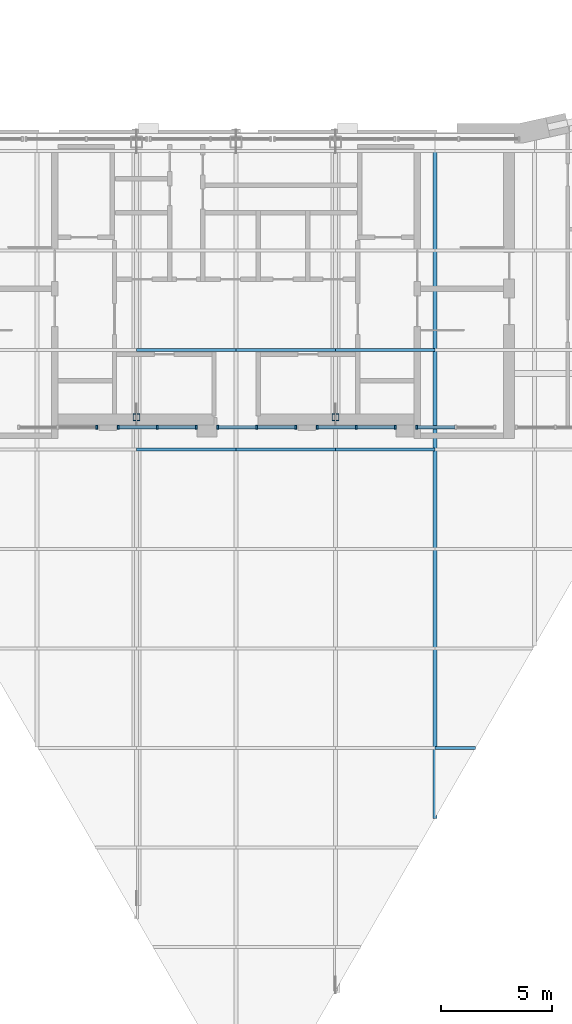
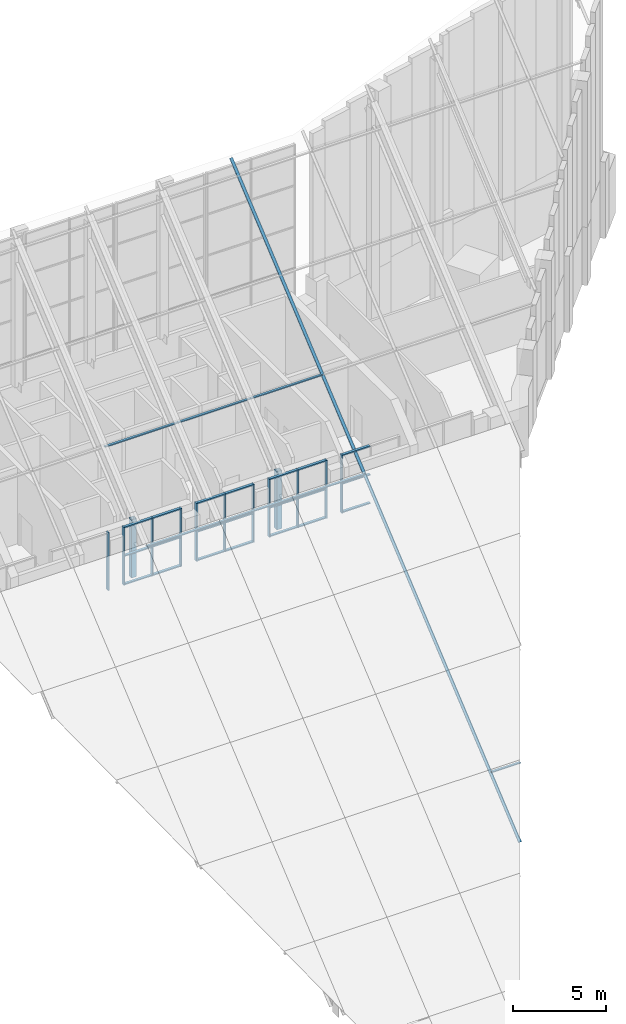
# One storey, part 4 of 19: 42 members, 9 elements without a shape of their own.
"""IFC4 building model written with IfcOpenShell, lengths in metres."""

import ifcopenshell
import ifcopenshell.guid

model = None  # the IFC model being written
_history = None  # IfcOwnerHistory: only IFC2X3 demands one
_inside = {}  # id of a spatial element -> (the spatial element, [elements in it])
_under = {}  # id of a project, library or spatial element -> (it, [spatial elements below it])
_declared = {}  # id of a project -> (the project, [libraries it declares])
_typed = {}  # id of a type object -> (the type object, [elements of that type])
_made_of = {}  # id of a material, layer set ... -> (it, [elements and type objects made of it])


def new_model(schema):
    """Start an empty IFC model of exactly this schema.

    Asked for "IFC4X3", IfcOpenShell would pick the latest addendum, in which some entities
    have other attributes; the version numbers below select the first issue.
    IFC2X3 requires an IfcOwnerHistory on every rooted entity: one is made here for all.
    """
    global model, _history
    if schema == "IFC4X3":
        model = ifcopenshell.file(schema_version=(4, 3, 0, 0))
    else:
        model = ifcopenshell.file(schema=schema)
    _inside.clear()
    _under.clear()
    _declared.clear()
    _typed.clear()
    _made_of.clear()
    _history = None
    if model.schema == "IFC2X3":
        org = make("IfcOrganization", Name="unknown")
        user = make(
            "IfcPersonAndOrganization",
            ThePerson=make("IfcPerson", FamilyName="unknown"),
            TheOrganization=org,
        )
        app = make(
            "IfcApplication",
            ApplicationDeveloper=org,
            Version="unknown",
            ApplicationFullName="unknown",
            ApplicationIdentifier="unknown",
        )
        _history = make(
            "IfcOwnerHistory",
            OwningUser=user,
            OwningApplication=app,
            ChangeAction="ADDED",
            CreationDate=0,
        )
    return model


def make(cls, **values):
    """One entity of the class cls with the attributes given. An attribute that is None is left unset."""
    return model.create_entity(
        cls, **{name: value for name, value in values.items() if value is not None}
    )


def rooted(cls, **values):
    """An entity with a GlobalId (a new one), such as an element, a storey or a relation."""
    return make(cls, GlobalId=ifcopenshell.guid.new(), OwnerHistory=_history, **values)


def si_unit(unit_type, name, prefix=None):
    """IfcSIUnit, for example si_unit("LENGTHUNIT", "METRE", prefix="MILLI")."""
    return make("IfcSIUnit", UnitType=unit_type, Prefix=prefix, Name=name)


def assignment(units):
    """IfcUnitAssignment: the units of a project."""
    return None if units is None else make("IfcUnitAssignment", Units=units)


def point(xyz):
    """IfcCartesianPoint."""
    return None if xyz is None else make("IfcCartesianPoint", Coordinates=xyz)


def direction(xyz):
    """IfcDirection."""
    return None if xyz is None else make("IfcDirection", DirectionRatios=xyz)


def frame(location, z_axis=None, x_axis=None):
    """IfcAxis2Placement3D, a coordinate frame: its origin and axes. An axis left out is left unset."""
    return make(
        "IfcAxis2Placement3D",
        Location=point(location),
        Axis=direction(z_axis),
        RefDirection=direction(x_axis),
    )


def frame_2d(location, x_axis=None):
    """IfcAxis2Placement2D, a coordinate frame in the plane: its origin and x axis."""
    return make(
        "IfcAxis2Placement2D", Location=point(location), RefDirection=direction(x_axis)
    )


def origin():
    """The frame at (0, 0, 0) with its axes left unset."""
    return frame((0.0, 0.0, 0.0))


def origin_2d():
    """The frame at (0, 0) in the plane with its x axis left unset."""
    return frame_2d((0.0, 0.0))


def place(relative_to, where):
    """IfcLocalPlacement: puts the frame where relative to a parent placement (None: the world)."""
    return make(
        "IfcLocalPlacement", PlacementRelTo=relative_to, RelativePlacement=where
    )


def context(
    kind, dimensions, precision=None, world=None, true_north=None, identifier=None
):
    """IfcGeometricRepresentationContext, for example the 3D "Model" context."""
    return make(
        "IfcGeometricRepresentationContext",
        ContextIdentifier=identifier,
        ContextType=kind,
        CoordinateSpaceDimension=dimensions,
        Precision=precision,
        WorldCoordinateSystem=world,
        TrueNorth=true_north,
    )


def subcontext(parent, identifier, kind, view, scale=None):
    """IfcGeometricRepresentationSubContext, for example "Body" below "Model"."""
    return make(
        "IfcGeometricRepresentationSubContext",
        ContextIdentifier=identifier,
        ContextType=kind,
        ParentContext=parent,
        TargetScale=scale,
        TargetView=view,
    )


def project(units=None, contexts=None):
    """IfcProject with its units and contexts."""
    return rooted(
        "IfcProject",
        Name="project",
        RepresentationContexts=contexts,
        UnitsInContext=assignment(units),
    )


def spatial(cls, under=None, at=None, **own):
    """A site, building, storey or space (cls), placed at a placement, below another one or the project."""
    s = rooted(cls, ObjectPlacement=at, **own)
    if under is not None:
        _under.setdefault(under.id(), (under, []))[1].append(s)
    return s


def profile(cls, at=None, kind="AREA", **sizes):
    """A parametric profile (cls). Its sizes go by their IFC names, for example OverallWidth=200.0."""
    return make(cls, ProfileType=kind, Position=at, **sizes)


def rectangle(**sizes):
    """IfcRectangleProfileDef."""
    return profile("IfcRectangleProfileDef", **sizes)


def hollow_rectangle(**sizes):
    """IfcRectangleHollowProfileDef."""
    return profile("IfcRectangleHollowProfileDef", **sizes)


def extrude(swept, where, along, depth):
    """IfcExtrudedAreaSolid: the profile swept, set in the frame where, extruded along a direction by depth."""
    return make(
        "IfcExtrudedAreaSolid",
        SweptArea=swept,
        Position=where,
        ExtrudedDirection=direction(along),
        Depth=depth,
    )


def shape(context_of_items, identifier, shape_type, items):
    """IfcShapeRepresentation: the items that make up one representation, for example the "Body"."""
    return make(
        "IfcShapeRepresentation",
        ContextOfItems=context_of_items,
        RepresentationIdentifier=identifier,
        RepresentationType=shape_type,
        Items=items,
    )


def material(Name=None, Category=None):
    """IfcMaterial."""
    return make("IfcMaterial", Name=Name, Category=Category)


def material_profile(
    of_material, cross_section, Name=None, Category=None, Priority=None
):
    """IfcMaterialProfile: a cross section and its material."""
    return make(
        "IfcMaterialProfile",
        Name=Name,
        Material=of_material,
        Profile=cross_section,
        Priority=Priority,
        Category=Category,
    )


def profile_set(profiles, Name=None, composite=None):
    """IfcMaterialProfileSet."""
    return make(
        "IfcMaterialProfileSet",
        Name=Name,
        MaterialProfiles=profiles,
        CompositeProfile=composite,
    )


def made_of(thing, what):
    """Note that an element or type object is made of a material, layer set ...; save() writes the relation."""
    if what is not None:
        _made_of.setdefault(what.id(), (what, []))[1].append(thing)
    return thing


def type_object(cls, material=None, **own):
    """A type object (cls), such as IfcWallType, which elements share."""
    return made_of(rooted(cls, **own), material)


def element(
    cls,
    number,
    at=None,
    inside=None,
    cuts=None,
    type_object=None,
    material=None,
    context=None,
    identifier="Body",
    shape_type=None,
    held_by="IfcProductDefinitionShape",
    body=None,
    shapes=None,
    **own,
):
    """One element of the class cls, such as IfcWall. Its Tag is "e" and its number.

    at: its placement. inside: the storey or other place that contains it. cuts: it is an
    opening in that element (IfcRelVoidsElement). A single representation is given by context,
    identifier, shape_type and body (its items); several are given by shapes. held_by: the class
    of the entity that holds the representations. save() writes the other relations.
    """
    e = rooted(cls, Tag="e%d" % number, ObjectPlacement=at, **own)
    if body is not None:
        shapes = [shape(context, identifier, shape_type, body)]
    if shapes is not None:
        e.Representation = make(held_by, Representations=shapes)
    if inside is not None:
        _inside.setdefault(inside.id(), (inside, []))[1].append(e)
    if cuts is not None:
        rooted(
            "IfcRelVoidsElement", RelatingBuildingElement=cuts, RelatedOpeningElement=e
        )
    if type_object is not None:
        _typed.setdefault(type_object.id(), (type_object, []))[1].append(e)
    return made_of(e, material)


def aggregate(whole, parts):
    """IfcRelAggregates: a whole, such as a stair, and the parts it consists of."""
    return rooted("IfcRelAggregates", RelatingObject=whole, RelatedObjects=parts)


def save(model, path):
    """Write the relations noted so far, then the file.

    IfcRelAggregates (storeys below a building ...), IfcRelContainedInSpatialStructure (elements
    in a storey), IfcRelDefinesByType, IfcRelAssociatesMaterial and IfcRelDeclares: one each for
    every whole, place, type object, material and project.
    """
    for whole, parts in _under.values():
        aggregate(whole, parts)
    for where, things in _inside.values():
        rooted(
            "IfcRelContainedInSpatialStructure",
            RelatedElements=things,
            RelatingStructure=where,
        )
    for kind, things in _typed.values():
        rooted("IfcRelDefinesByType", RelatedObjects=things, RelatingType=kind)
    for what, things in _made_of.values():
        rooted("IfcRelAssociatesMaterial", RelatedObjects=things, RelatingMaterial=what)
    for by, libraries in _declared.values():
        rooted("IfcRelDeclares", RelatingContext=by, RelatedDefinitions=libraries)
    model.write(path)


model = new_model("IFC4")

# Units and contexts
model_context = context("Model", 3, precision=1e-05, world=origin(), true_north=direction((0.0, 1.0)))
body_context = subcontext(model_context, "Body", "Model", "MODEL_VIEW")
ifc_project = project(units=[si_unit("LENGTHUNIT", "METRE"), si_unit("AREAUNIT", "SQUARE_METRE"), si_unit("VOLUMEUNIT", "CUBIC_METRE"), si_unit("PLANEANGLEUNIT", "RADIAN"), si_unit("MASSUNIT", "GRAM", prefix="KILO")], contexts=[model_context])

# Site, building, storey
site_placement = place(None, origin())
site = spatial("IfcSite", under=ifc_project, at=site_placement, CompositionType="ELEMENT")
building_placement = place(site_placement, origin())
building = spatial("IfcBuilding", under=site, at=building_placement, Name="Calabash Gate Tower", CompositionType="ELEMENT")
storey_placement = place(building_placement, frame((0.0, 0.0, 335.5)))
storey = spatial("IfcBuildingStorey", under=building, at=storey_placement, Name="L78", CompositionType="ELEMENT", Elevation=335.5)

# Curtain wall, member
ifc_material_1 = material(Name="Anodised aluminium frame, bronze finish, clear laminated low-emissivity glazing", Category="aluminium")
curtain_wall_type_1 = type_object("IfcCurtainWallType", Name="Curtain wall CWC crown roof glazing", PredefinedType="NOTDEFINED", material=ifc_material_1)
curtain_wall_1_placement = place(storey_placement, origin())
curtain_wall_1 = element("IfcCurtainWall", 1, at=curtain_wall_1_placement, inside=storey, type_object=curtain_wall_type_1, Name="Curtain wall CWC roof glazing strip 8", PredefinedType="NOTDEFINED")
ifc_material_2 = material(Name="Anodised aluminium frame, bronze finish", Category="aluminium")
ifc_material_profile_1 = material_profile(ifc_material_2, rectangle(XDim=0.179931640625, YDim=0.06494140625, at=origin_2d()))
ifc_profile_set_1 = profile_set([ifc_material_profile_1], Name="Anodised aluminium frame, bronze finish")
member_type_1 = type_object("IfcMemberType", Name="Mullion CWC 65x180", PredefinedType="MULLION", material=ifc_profile_set_1)
member_1_placement = place(storey_placement, frame((9.0, -11.9189453125, -11.147216796875), z_axis=(0.0, 0.766042481004, 0.642789948036), x_axis=(-1.0, 0.0, 0.0)))
member_1 = element("IfcMember", 2, at=member_1_placement, type_object=member_type_1, Name="CWC roof mullion 8.1", PredefinedType="MULLION", context=body_context, shape_type="SweptSolid", body=[
    extrude(rectangle(XDim=0.179931640625, YDim=0.06494140625, at=origin_2d()), origin(), (0.0, 0.0, 1.0), 40.430419921875),
])

ifc_material_3 = material(Name="Anodised aluminium frame, bronze finish, clear laminated impact-rated glazing", Category="aluminium")
curtain_wall_type_2 = type_object("IfcCurtainWallType", Name="Curtain wall CWV crown wall", PredefinedType="NOTDEFINED", material=ifc_material_3)
curtain_wall_2_placement = place(storey_placement, origin())
curtain_wall_2 = element("IfcCurtainWall", 3, at=curtain_wall_2_placement, inside=storey, type_object=curtain_wall_type_2, Name="Curtain wall CWV L78 crown1.2", PredefinedType="NOTDEFINED")
ifc_material_4 = material(Name="Anodised aluminium frame, bronze finish", Category="aluminium")
ifc_material_profile_2 = material_profile(ifc_material_4, rectangle(XDim=0.199951171875, YDim=0.074951171875, at=origin_2d()))
ifc_profile_set_2 = profile_set([ifc_material_profile_2], Name="Anodised aluminium frame, bronze finish")
member_type_2 = type_object("IfcMemberType", Name="Mullion CWV 75x200", PredefinedType="MULLION", material=ifc_profile_set_2)
member_2_placement = place(storey_placement, frame((-6.301513671875, 5.75439453125, 0.0), z_axis=(0.0, 0.0, 1.0), x_axis=(0.0, 1.0, 0.0)))
member_2 = element("IfcMember", 4, at=member_2_placement, type_object=member_type_2, Name="CWV mullion 3", PredefinedType="MULLION", context=body_context, shape_type="SweptSolid", body=[
    extrude(rectangle(XDim=0.199951171875, YDim=0.074951171875, at=origin_2d()), origin(), (0.0, 0.0, 1.0), 3.800048828125),
])
aggregate(curtain_wall_2, [member_2])

# Curtain wall, members
curtain_wall_3_placement = place(storey_placement, origin())
curtain_wall_3 = element("IfcCurtainWall", 5, at=curtain_wall_3_placement, inside=storey, type_object=curtain_wall_type_2, Name="Curtain wall CWV L78 crown1.3", PredefinedType="NOTDEFINED")
member_3_placement = place(storey_placement, frame((-5.32666015625, 5.75439453125, 0.0), z_axis=(0.0, 0.0, 1.0), x_axis=(0.0, 1.0, 0.0)))
member_3 = element("IfcMember", 6, at=member_3_placement, type_object=member_type_2, Name="CWV mullion 1", PredefinedType="MULLION", context=body_context, shape_type="SweptSolid", body=[
    extrude(rectangle(XDim=0.199951171875, YDim=0.074951171875, at=origin_2d()), origin(), (0.0, 0.0, 1.0), 3.800048828125),
])
member_4_placement = place(storey_placement, frame((-3.56396484375, 5.75439453125, 0.0), z_axis=(0.0, 0.0, 1.0), x_axis=(0.0, 1.0, 0.0)))
member_4 = element("IfcMember", 7, at=member_4_placement, type_object=member_type_2, Name="CWV mullion 2", PredefinedType="MULLION", context=body_context, shape_type="SweptSolid", body=[
    extrude(rectangle(XDim=0.199951171875, YDim=0.074951171875, at=origin_2d()), origin(), (0.0, 0.0, 1.0), 3.800048828125),
])
member_5_placement = place(storey_placement, frame((-1.801513671875, 5.75439453125, 0.0), z_axis=(0.0, 0.0, 1.0), x_axis=(0.0, 1.0, 0.0)))
member_5 = element("IfcMember", 8, at=member_5_placement, type_object=member_type_2, Name="CWV mullion 3", PredefinedType="MULLION", context=body_context, shape_type="SweptSolid", body=[
    extrude(rectangle(XDim=0.199951171875, YDim=0.074951171875, at=origin_2d()), origin(), (0.0, 0.0, 1.0), 3.800048828125),
])

curtain_wall_4_placement = place(storey_placement, origin())
curtain_wall_4 = element("IfcCurtainWall", 9, at=curtain_wall_4_placement, inside=storey, type_object=curtain_wall_type_2, Name="Curtain wall CWV L78 crown1.4", PredefinedType="NOTDEFINED")
member_6_placement = place(storey_placement, frame((-0.82666015625, 5.75439453125, 0.0), z_axis=(0.0, 0.0, 1.0), x_axis=(0.0, 1.0, 0.0)))
member_6 = element("IfcMember", 10, at=member_6_placement, type_object=member_type_2, Name="CWV mullion 1", PredefinedType="MULLION", context=body_context, shape_type="SweptSolid", body=[
    extrude(rectangle(XDim=0.199951171875, YDim=0.074951171875, at=origin_2d()), origin(), (0.0, 0.0, 1.0), 3.800048828125),
])
member_7_placement = place(storey_placement, frame((0.93603515625, 5.75439453125, 0.0), z_axis=(0.0, 0.0, 1.0), x_axis=(0.0, 1.0, 0.0)))
member_7 = element("IfcMember", 11, at=member_7_placement, type_object=member_type_2, Name="CWV mullion 2", PredefinedType="MULLION", context=body_context, shape_type="SweptSolid", body=[
    extrude(rectangle(XDim=0.199951171875, YDim=0.074951171875, at=origin_2d()), origin(), (0.0, 0.0, 1.0), 3.800048828125),
])
member_8_placement = place(storey_placement, frame((2.698486328125, 5.75439453125, 0.0), z_axis=(0.0, 0.0, 1.0), x_axis=(0.0, 1.0, 0.0)))
member_8 = element("IfcMember", 12, at=member_8_placement, type_object=member_type_2, Name="CWV mullion 3", PredefinedType="MULLION", context=body_context, shape_type="SweptSolid", body=[
    extrude(rectangle(XDim=0.199951171875, YDim=0.074951171875, at=origin_2d()), origin(), (0.0, 0.0, 1.0), 3.800048828125),
])

curtain_wall_5_placement = place(storey_placement, origin())
curtain_wall_5 = element("IfcCurtainWall", 13, at=curtain_wall_5_placement, inside=storey, type_object=curtain_wall_type_2, Name="Curtain wall CWV L78 crown1.5", PredefinedType="NOTDEFINED")
member_9_placement = place(storey_placement, frame((3.67333984375, 5.75439453125, 0.0), z_axis=(0.0, 0.0, 1.0), x_axis=(0.0, 1.0, 0.0)))
member_9 = element("IfcMember", 14, at=member_9_placement, type_object=member_type_2, Name="CWV mullion 1", PredefinedType="MULLION", context=body_context, shape_type="SweptSolid", body=[
    extrude(rectangle(XDim=0.199951171875, YDim=0.074951171875, at=origin_2d()), origin(), (0.0, 0.0, 1.0), 3.800048828125),
])
member_10_placement = place(storey_placement, frame((5.43603515625, 5.75439453125, 0.0), z_axis=(0.0, 0.0, 1.0), x_axis=(0.0, 1.0, 0.0)))
member_10 = element("IfcMember", 15, at=member_10_placement, type_object=member_type_2, Name="CWV mullion 2", PredefinedType="MULLION", context=body_context, shape_type="SweptSolid", body=[
    extrude(rectangle(XDim=0.199951171875, YDim=0.074951171875, at=origin_2d()), origin(), (0.0, 0.0, 1.0), 3.800048828125),
])
member_11_placement = place(storey_placement, frame((7.198486328125, 5.75439453125, 0.0), z_axis=(0.0, 0.0, 1.0), x_axis=(0.0, 1.0, 0.0)))
member_11 = element("IfcMember", 16, at=member_11_placement, type_object=member_type_2, Name="CWV mullion 3", PredefinedType="MULLION", context=body_context, shape_type="SweptSolid", body=[
    extrude(rectangle(XDim=0.199951171875, YDim=0.074951171875, at=origin_2d()), origin(), (0.0, 0.0, 1.0), 3.800048828125),
])

# Curtain wall, member
curtain_wall_6_placement = place(storey_placement, origin())
curtain_wall_6 = element("IfcCurtainWall", 17, at=curtain_wall_6_placement, inside=storey, type_object=curtain_wall_type_2, Name="Curtain wall CWV L78 crown1.6", PredefinedType="NOTDEFINED")
member_12_placement = place(storey_placement, frame((8.17333984375, 5.75439453125, 0.0), z_axis=(0.0, 0.0, 1.0), x_axis=(0.0, 1.0, 0.0)))
member_12 = element("IfcMember", 18, at=member_12_placement, type_object=member_type_2, Name="CWV mullion 1", PredefinedType="MULLION", context=body_context, shape_type="SweptSolid", body=[
    extrude(rectangle(XDim=0.199951171875, YDim=0.074951171875, at=origin_2d()), origin(), (0.0, 0.0, 1.0), 3.800048828125),
])

# Members
ifc_material_5 = material(Name="Steel ASTM A500 Gr C", Category="steel")
ifc_material_profile_3 = material_profile(ifc_material_5, hollow_rectangle(XDim=0.3046875, YDim=0.3046875, WallThickness=0.0126953125, at=origin_2d()))
ifc_profile_set_3 = profile_set([ifc_material_profile_3], Name="Steel ASTM A500 Gr C")
member_type_3 = type_object("IfcMemberType", Name="Roof post HSS12X12X.500 ASTM A500 Gr C", PredefinedType="POST", material=ifc_profile_set_3)
for number, where, z_axis, x_axis, name in (
    (19, (-4.5, 6.204345703125, 0.0), (0.0, 0.0, 1.0), (1.0, 0.0, 0.0), "Roof post 4"),
    (20, (4.5, 6.204345703125, 0.0), (0.0, 0.0, 1.0), (1.0, 0.0, 0.0), "Roof post 9"),
):
    element("IfcMember", number, at=place(storey_placement, frame(where, z_axis=z_axis, x_axis=x_axis)), inside=storey, type_object=member_type_3, Name=name, PredefinedType="POST", context=body_context, shape_type="SweptSolid", body=[
        extrude(hollow_rectangle(XDim=0.3046875, YDim=0.3046875, WallThickness=0.0126953125, at=origin_2d()), origin(), (0.0, 0.0, 1.0), 3.80419921875),
    ])

# Curtain wall, members
curtain_wall_7_placement = place(storey_placement, origin())
curtain_wall_7 = element("IfcCurtainWall", 21, at=curtain_wall_7_placement, inside=storey, type_object=curtain_wall_type_1, Name="Curtain wall CWC roof glazing strip 5", PredefinedType="NOTDEFINED")
ifc_material_6 = material(Name="Anodised aluminium frame, bronze finish", Category="aluminium")
ifc_material_profile_4 = material_profile(ifc_material_6, rectangle(XDim=0.139892578125, YDim=0.06494140625, at=origin_2d()))
ifc_profile_set_4 = profile_set([ifc_material_profile_4], Name="Anodised aluminium frame, bronze finish")
member_type_4 = type_object("IfcMemberType", Name="Transom CWC 65x140", PredefinedType="USERDEFINED", material=ifc_profile_set_4)
member_13_placement = place(storey_placement, frame((-4.5, 4.748046875, 2.838134765625), z_axis=(1.0, 0.0, 0.0), x_axis=(0.0, 1.0, 0.0)))
member_13 = element("IfcMember", 22, at=member_13_placement, type_object=member_type_4, Name="CWC roof transom 5.6", ObjectType="TRANSOM", PredefinedType="USERDEFINED", context=body_context, shape_type="SweptSolid", body=[
    extrude(rectangle(XDim=0.139892578125, YDim=0.06494140625, at=origin_2d()), origin(), (0.0, 0.0, 1.0), 4.5),
])
member_14_placement = place(storey_placement, frame((-4.5, 9.248046875, 6.6142578125), z_axis=(1.0, 0.0, 0.0), x_axis=(0.0, 1.0, 0.0)))
member_14 = element("IfcMember", 23, at=member_14_placement, type_object=member_type_4, Name="CWC roof transom 5.7", ObjectType="TRANSOM", PredefinedType="USERDEFINED", context=body_context, shape_type="SweptSolid", body=[
    extrude(rectangle(XDim=0.139892578125, YDim=0.06494140625, at=origin_2d()), origin(), (0.0, 0.0, 1.0), 4.5),
])
aggregate(curtain_wall_7, [member_13, member_14])

curtain_wall_8_placement = place(storey_placement, origin())
curtain_wall_8 = element("IfcCurtainWall", 24, at=curtain_wall_8_placement, inside=storey, type_object=curtain_wall_type_1, Name="Curtain wall CWC roof glazing strip 6", PredefinedType="NOTDEFINED")
member_15_placement = place(storey_placement, frame((0.0, 4.748046875, 2.838134765625), z_axis=(1.0, 0.0, 0.0), x_axis=(0.0, 1.0, 0.0)))
member_15 = element("IfcMember", 25, at=member_15_placement, type_object=member_type_4, Name="CWC roof transom 6.6", ObjectType="TRANSOM", PredefinedType="USERDEFINED", context=body_context, shape_type="SweptSolid", body=[
    extrude(rectangle(XDim=0.139892578125, YDim=0.06494140625, at=origin_2d()), origin(), (0.0, 0.0, 1.0), 4.5),
])
member_16_placement = place(storey_placement, frame((0.0, 9.248046875, 6.6142578125), z_axis=(1.0, 0.0, 0.0), x_axis=(0.0, 1.0, 0.0)))
member_16 = element("IfcMember", 26, at=member_16_placement, type_object=member_type_4, Name="CWC roof transom 6.7", ObjectType="TRANSOM", PredefinedType="USERDEFINED", context=body_context, shape_type="SweptSolid", body=[
    extrude(rectangle(XDim=0.139892578125, YDim=0.06494140625, at=origin_2d()), origin(), (0.0, 0.0, 1.0), 4.5),
])
aggregate(curtain_wall_8, [member_15, member_16])

curtain_wall_9_placement = place(storey_placement, origin())
curtain_wall_9 = element("IfcCurtainWall", 27, at=curtain_wall_9_placement, inside=storey, type_object=curtain_wall_type_1, Name="Curtain wall CWC roof glazing strip 7", PredefinedType="NOTDEFINED")
member_17_placement = place(storey_placement, frame((4.5, 4.748046875, 2.838134765625), z_axis=(1.0, 0.0, 0.0), x_axis=(0.0, 1.0, 0.0)))
member_17 = element("IfcMember", 28, at=member_17_placement, type_object=member_type_4, Name="CWC roof transom 7.6", ObjectType="TRANSOM", PredefinedType="USERDEFINED", context=body_context, shape_type="SweptSolid", body=[
    extrude(rectangle(XDim=0.139892578125, YDim=0.06494140625, at=origin_2d()), origin(), (0.0, 0.0, 1.0), 4.5),
])
member_18_placement = place(storey_placement, frame((4.5, 9.248046875, 6.6142578125), z_axis=(1.0, 0.0, 0.0), x_axis=(0.0, 1.0, 0.0)))
member_18 = element("IfcMember", 29, at=member_18_placement, type_object=member_type_4, Name="CWC roof transom 7.7", ObjectType="TRANSOM", PredefinedType="USERDEFINED", context=body_context, shape_type="SweptSolid", body=[
    extrude(rectangle(XDim=0.139892578125, YDim=0.06494140625, at=origin_2d()), origin(), (0.0, 0.0, 1.0), 4.5),
])
aggregate(curtain_wall_9, [member_17, member_18])

# Member
member_19_placement = place(storey_placement, frame((9.0, -8.751953125, -8.48974609375), z_axis=(1.0, 0.0, 0.0), x_axis=(0.0, 1.0, 0.0)))
member_19 = element("IfcMember", 30, at=member_19_placement, type_object=member_type_4, Name="CWC roof transom 8.1", ObjectType="TRANSOM", PredefinedType="USERDEFINED", context=body_context, shape_type="SweptSolid", body=[
    extrude(rectangle(XDim=0.139892578125, YDim=0.06494140625, at=origin_2d()), origin(), (0.0, 0.0, 1.0), 1.82861328125),
])

aggregate(curtain_wall_1, [member_1, member_19])

ifc_material_7 = material(Name="Anodised aluminium frame, bronze finish", Category="aluminium")
ifc_material_profile_5 = material_profile(ifc_material_7, rectangle(XDim=0.159912109375, YDim=0.074951171875, at=origin_2d()))
ifc_profile_set_5 = profile_set([ifc_material_profile_5], Name="Anodised aluminium frame, bronze finish")
member_type_5 = type_object("IfcMemberType", Name="Transom CWV 75x160", PredefinedType="USERDEFINED", material=ifc_profile_set_5)
member_20_placement = place(storey_placement, frame((-5.2890625, 5.75439453125, 0.03759765625), z_axis=(1.0, 0.0, 0.0), x_axis=(0.0, 1.0, 0.0)))
member_20 = element("IfcMember", 31, at=member_20_placement, type_object=member_type_5, Name="CWV transom 1.1", ObjectType="TRANSOM", PredefinedType="USERDEFINED", context=body_context, shape_type="SweptSolid", body=[
    extrude(rectangle(XDim=0.159912109375, YDim=0.074951171875, at=origin_2d()), origin(), (0.0, 0.0, 1.0), 1.6875),
])

member_21_placement = place(storey_placement, frame((-5.2890625, 5.75439453125, 1.89990234375), z_axis=(1.0, 0.0, 0.0), x_axis=(0.0, 1.0, 0.0)))
member_21 = element("IfcMember", 32, at=member_21_placement, type_object=member_type_5, Name="CWV transom 1.2", ObjectType="TRANSOM", PredefinedType="USERDEFINED", context=body_context, shape_type="SweptSolid", body=[
    extrude(rectangle(XDim=0.159912109375, YDim=0.074951171875, at=origin_2d()), origin(), (0.0, 0.0, 1.0), 1.6875),
])

member_22_placement = place(storey_placement, frame((-5.2890625, 5.75439453125, 3.762451171875), z_axis=(1.0, 0.0, 0.0), x_axis=(0.0, 1.0, 0.0)))
member_22 = element("IfcMember", 33, at=member_22_placement, type_object=member_type_5, Name="CWV transom 1.3", ObjectType="TRANSOM", PredefinedType="USERDEFINED", context=body_context, shape_type="SweptSolid", body=[
    extrude(rectangle(XDim=0.159912109375, YDim=0.074951171875, at=origin_2d()), origin(), (0.0, 0.0, 1.0), 1.6875),
])

member_23_placement = place(storey_placement, frame((-3.526611328125, 5.75439453125, 0.03759765625), z_axis=(1.0, 0.0, 0.0), x_axis=(0.0, 1.0, 0.0)))
member_23 = element("IfcMember", 34, at=member_23_placement, type_object=member_type_5, Name="CWV transom 2.1", ObjectType="TRANSOM", PredefinedType="USERDEFINED", context=body_context, shape_type="SweptSolid", body=[
    extrude(rectangle(XDim=0.159912109375, YDim=0.074951171875, at=origin_2d()), origin(), (0.0, 0.0, 1.0), 1.6875),
])

member_24_placement = place(storey_placement, frame((-3.526611328125, 5.75439453125, 1.89990234375), z_axis=(1.0, 0.0, 0.0), x_axis=(0.0, 1.0, 0.0)))
member_24 = element("IfcMember", 35, at=member_24_placement, type_object=member_type_5, Name="CWV transom 2.2", ObjectType="TRANSOM", PredefinedType="USERDEFINED", context=body_context, shape_type="SweptSolid", body=[
    extrude(rectangle(XDim=0.159912109375, YDim=0.074951171875, at=origin_2d()), origin(), (0.0, 0.0, 1.0), 1.6875),
])

member_25_placement = place(storey_placement, frame((-3.526611328125, 5.75439453125, 3.762451171875), z_axis=(1.0, 0.0, 0.0), x_axis=(0.0, 1.0, 0.0)))
member_25 = element("IfcMember", 36, at=member_25_placement, type_object=member_type_5, Name="CWV transom 2.3", ObjectType="TRANSOM", PredefinedType="USERDEFINED", context=body_context, shape_type="SweptSolid", body=[
    extrude(rectangle(XDim=0.159912109375, YDim=0.074951171875, at=origin_2d()), origin(), (0.0, 0.0, 1.0), 1.6875),
])

aggregate(curtain_wall_3, [member_3, member_4, member_5, member_20, member_21, member_22, member_23, member_24, member_25])

member_26_placement = place(storey_placement, frame((-0.7890625, 5.75439453125, 0.03759765625), z_axis=(1.0, 0.0, 0.0), x_axis=(0.0, 1.0, 0.0)))
member_26 = element("IfcMember", 37, at=member_26_placement, type_object=member_type_5, Name="CWV transom 1.1", ObjectType="TRANSOM", PredefinedType="USERDEFINED", context=body_context, shape_type="SweptSolid", body=[
    extrude(rectangle(XDim=0.159912109375, YDim=0.074951171875, at=origin_2d()), origin(), (0.0, 0.0, 1.0), 1.6875),
])

member_27_placement = place(storey_placement, frame((-0.7890625, 5.75439453125, 1.89990234375), z_axis=(1.0, 0.0, 0.0), x_axis=(0.0, 1.0, 0.0)))
member_27 = element("IfcMember", 38, at=member_27_placement, type_object=member_type_5, Name="CWV transom 1.2", ObjectType="TRANSOM", PredefinedType="USERDEFINED", context=body_context, shape_type="SweptSolid", body=[
    extrude(rectangle(XDim=0.159912109375, YDim=0.074951171875, at=origin_2d()), origin(), (0.0, 0.0, 1.0), 1.6875),
])

member_28_placement = place(storey_placement, frame((-0.7890625, 5.75439453125, 3.762451171875), z_axis=(1.0, 0.0, 0.0), x_axis=(0.0, 1.0, 0.0)))
member_28 = element("IfcMember", 39, at=member_28_placement, type_object=member_type_5, Name="CWV transom 1.3", ObjectType="TRANSOM", PredefinedType="USERDEFINED", context=body_context, shape_type="SweptSolid", body=[
    extrude(rectangle(XDim=0.159912109375, YDim=0.074951171875, at=origin_2d()), origin(), (0.0, 0.0, 1.0), 1.6875),
])

member_29_placement = place(storey_placement, frame((0.973388671875, 5.75439453125, 0.03759765625), z_axis=(1.0, 0.0, 0.0), x_axis=(0.0, 1.0, 0.0)))
member_29 = element("IfcMember", 40, at=member_29_placement, type_object=member_type_5, Name="CWV transom 2.1", ObjectType="TRANSOM", PredefinedType="USERDEFINED", context=body_context, shape_type="SweptSolid", body=[
    extrude(rectangle(XDim=0.159912109375, YDim=0.074951171875, at=origin_2d()), origin(), (0.0, 0.0, 1.0), 1.6875),
])

member_30_placement = place(storey_placement, frame((0.973388671875, 5.75439453125, 1.89990234375), z_axis=(1.0, 0.0, 0.0), x_axis=(0.0, 1.0, 0.0)))
member_30 = element("IfcMember", 41, at=member_30_placement, type_object=member_type_5, Name="CWV transom 2.2", ObjectType="TRANSOM", PredefinedType="USERDEFINED", context=body_context, shape_type="SweptSolid", body=[
    extrude(rectangle(XDim=0.159912109375, YDim=0.074951171875, at=origin_2d()), origin(), (0.0, 0.0, 1.0), 1.6875),
])

member_31_placement = place(storey_placement, frame((0.973388671875, 5.75439453125, 3.762451171875), z_axis=(1.0, 0.0, 0.0), x_axis=(0.0, 1.0, 0.0)))
member_31 = element("IfcMember", 42, at=member_31_placement, type_object=member_type_5, Name="CWV transom 2.3", ObjectType="TRANSOM", PredefinedType="USERDEFINED", context=body_context, shape_type="SweptSolid", body=[
    extrude(rectangle(XDim=0.159912109375, YDim=0.074951171875, at=origin_2d()), origin(), (0.0, 0.0, 1.0), 1.6875),
])

aggregate(curtain_wall_4, [member_6, member_7, member_8, member_26, member_27, member_28, member_29, member_30, member_31])

member_32_placement = place(storey_placement, frame((3.7109375, 5.75439453125, 0.03759765625), z_axis=(1.0, 0.0, 0.0), x_axis=(0.0, 1.0, 0.0)))
member_32 = element("IfcMember", 43, at=member_32_placement, type_object=member_type_5, Name="CWV transom 1.1", ObjectType="TRANSOM", PredefinedType="USERDEFINED", context=body_context, shape_type="SweptSolid", body=[
    extrude(rectangle(XDim=0.159912109375, YDim=0.074951171875, at=origin_2d()), origin(), (0.0, 0.0, 1.0), 1.6875),
])

member_33_placement = place(storey_placement, frame((3.7109375, 5.75439453125, 1.89990234375), z_axis=(1.0, 0.0, 0.0), x_axis=(0.0, 1.0, 0.0)))
member_33 = element("IfcMember", 44, at=member_33_placement, type_object=member_type_5, Name="CWV transom 1.2", ObjectType="TRANSOM", PredefinedType="USERDEFINED", context=body_context, shape_type="SweptSolid", body=[
    extrude(rectangle(XDim=0.159912109375, YDim=0.074951171875, at=origin_2d()), origin(), (0.0, 0.0, 1.0), 1.6875),
])

member_34_placement = place(storey_placement, frame((3.7109375, 5.75439453125, 3.762451171875), z_axis=(1.0, 0.0, 0.0), x_axis=(0.0, 1.0, 0.0)))
member_34 = element("IfcMember", 45, at=member_34_placement, type_object=member_type_5, Name="CWV transom 1.3", ObjectType="TRANSOM", PredefinedType="USERDEFINED", context=body_context, shape_type="SweptSolid", body=[
    extrude(rectangle(XDim=0.159912109375, YDim=0.074951171875, at=origin_2d()), origin(), (0.0, 0.0, 1.0), 1.6875),
])

member_35_placement = place(storey_placement, frame((5.473388671875, 5.75439453125, 0.03759765625), z_axis=(1.0, 0.0, 0.0), x_axis=(0.0, 1.0, 0.0)))
member_35 = element("IfcMember", 46, at=member_35_placement, type_object=member_type_5, Name="CWV transom 2.1", ObjectType="TRANSOM", PredefinedType="USERDEFINED", context=body_context, shape_type="SweptSolid", body=[
    extrude(rectangle(XDim=0.159912109375, YDim=0.074951171875, at=origin_2d()), origin(), (0.0, 0.0, 1.0), 1.6875),
])

member_36_placement = place(storey_placement, frame((5.473388671875, 5.75439453125, 1.89990234375), z_axis=(1.0, 0.0, 0.0), x_axis=(0.0, 1.0, 0.0)))
member_36 = element("IfcMember", 47, at=member_36_placement, type_object=member_type_5, Name="CWV transom 2.2", ObjectType="TRANSOM", PredefinedType="USERDEFINED", context=body_context, shape_type="SweptSolid", body=[
    extrude(rectangle(XDim=0.159912109375, YDim=0.074951171875, at=origin_2d()), origin(), (0.0, 0.0, 1.0), 1.6875),
])

member_37_placement = place(storey_placement, frame((5.473388671875, 5.75439453125, 3.762451171875), z_axis=(1.0, 0.0, 0.0), x_axis=(0.0, 1.0, 0.0)))
member_37 = element("IfcMember", 48, at=member_37_placement, type_object=member_type_5, Name="CWV transom 2.3", ObjectType="TRANSOM", PredefinedType="USERDEFINED", context=body_context, shape_type="SweptSolid", body=[
    extrude(rectangle(XDim=0.159912109375, YDim=0.074951171875, at=origin_2d()), origin(), (0.0, 0.0, 1.0), 1.6875),
])

aggregate(curtain_wall_5, [member_9, member_10, member_11, member_32, member_33, member_34, member_35, member_36, member_37])

member_38_placement = place(storey_placement, frame((8.2109375, 5.75439453125, 0.03759765625), z_axis=(1.0, 0.0, 0.0), x_axis=(0.0, 1.0, 0.0)))
member_38 = element("IfcMember", 49, at=member_38_placement, type_object=member_type_5, Name="CWV transom 1.1", ObjectType="TRANSOM", PredefinedType="USERDEFINED", context=body_context, shape_type="SweptSolid", body=[
    extrude(rectangle(XDim=0.159912109375, YDim=0.074951171875, at=origin_2d()), origin(), (0.0, 0.0, 1.0), 1.6875),
])

member_39_placement = place(storey_placement, frame((8.2109375, 5.75439453125, 1.89990234375), z_axis=(1.0, 0.0, 0.0), x_axis=(0.0, 1.0, 0.0)))
member_39 = element("IfcMember", 50, at=member_39_placement, type_object=member_type_5, Name="CWV transom 1.2", ObjectType="TRANSOM", PredefinedType="USERDEFINED", context=body_context, shape_type="SweptSolid", body=[
    extrude(rectangle(XDim=0.159912109375, YDim=0.074951171875, at=origin_2d()), origin(), (0.0, 0.0, 1.0), 1.6875),
])

member_40_placement = place(storey_placement, frame((8.2109375, 5.75439453125, 3.762451171875), z_axis=(1.0, 0.0, 0.0), x_axis=(0.0, 1.0, 0.0)))
member_40 = element("IfcMember", 51, at=member_40_placement, type_object=member_type_5, Name="CWV transom 1.3", ObjectType="TRANSOM", PredefinedType="USERDEFINED", context=body_context, shape_type="SweptSolid", body=[
    extrude(rectangle(XDim=0.159912109375, YDim=0.074951171875, at=origin_2d()), origin(), (0.0, 0.0, 1.0), 1.6875),
])

aggregate(curtain_wall_6, [member_12, member_38, member_39, member_40])

save(model, "model.ifc")
